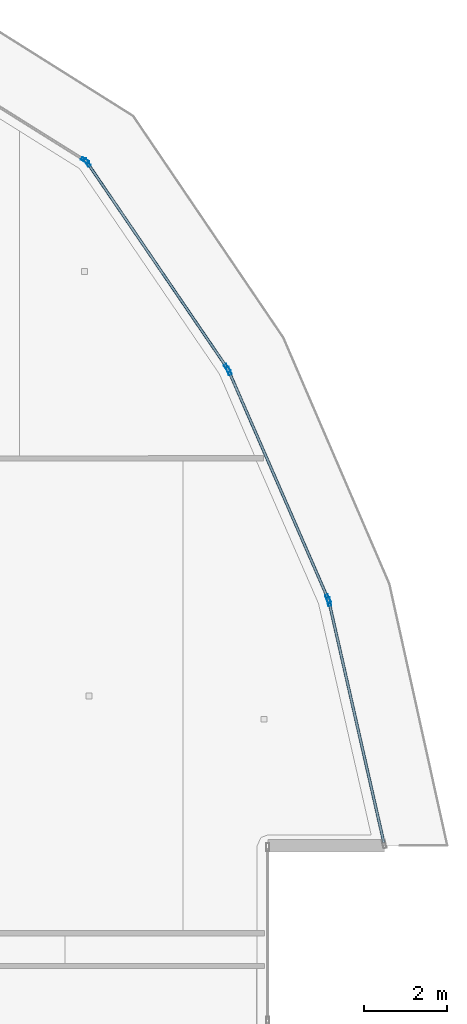
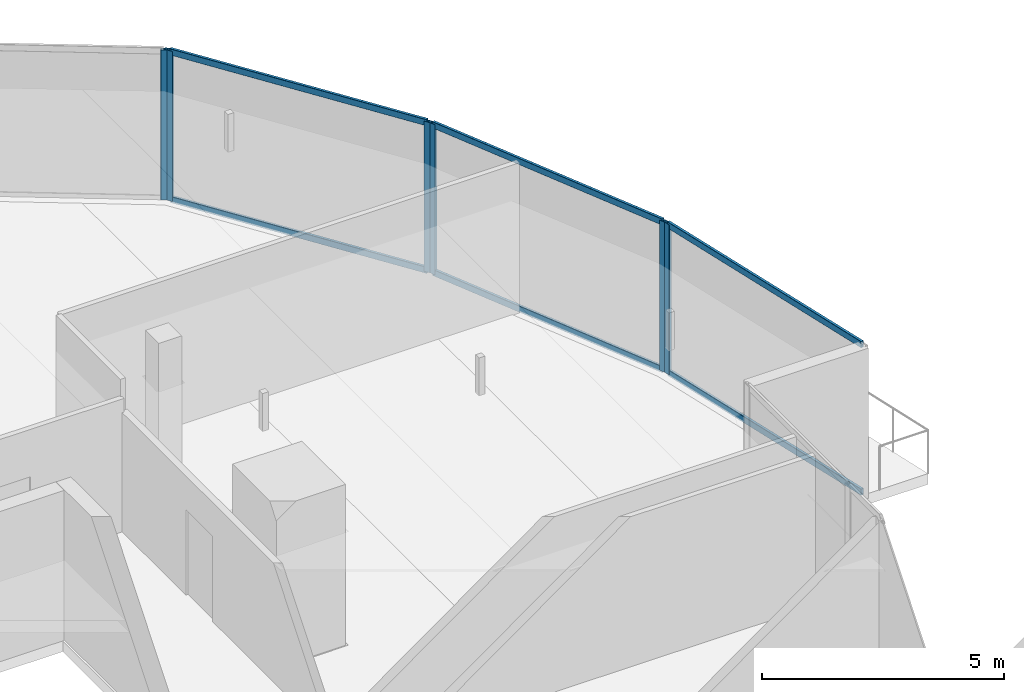
# One storey, part 22 of 36: 12 members, 4 elements without a shape of their own.
"""IFC4 building model written with IfcOpenShell, lengths in metres."""

from ifc_helpers import new_model, si_unit, direction, frame, origin, origin_2d, place, context, subcontext, project, spatial, hollow_rectangle, extrude, material, layer, layer_set, material_profile, profile_set, type_object, element, aggregate, save


model = new_model("IFC4")

# Units and contexts
model_context = context("Model", 3, precision=1e-05, world=origin(), true_north=direction((0.0, 1.0)))
body_context = subcontext(model_context, "Body", "Model", "MODEL_VIEW")
ifc_project = project(units=[si_unit("LENGTHUNIT", "METRE"), si_unit("AREAUNIT", "SQUARE_METRE"), si_unit("VOLUMEUNIT", "CUBIC_METRE"), si_unit("PLANEANGLEUNIT", "RADIAN"), si_unit("MASSUNIT", "GRAM", prefix="KILO")], contexts=[model_context])

# Site, building, storey
site_placement = place(None, origin())
site = spatial("IfcSite", under=ifc_project, at=site_placement, CompositionType="ELEMENT")
building_placement = place(site_placement, origin())
building = spatial("IfcBuilding", under=site, at=building_placement, Name="Qorvath Tower", CompositionType="ELEMENT")
storey_placement = place(building_placement, frame((0.0, 0.0, 229.35009765625)))
storey = spatial("IfcBuildingStorey", under=building, at=storey_placement, Name="L53", CompositionType="ELEMENT", Elevation=229.35009765625)

# Curtain wall, member
ifc_material_1 = material(Name="Anodised aluminium and triple low-E glass", Category="aluminium")
ifc_layer = layer(ifc_material_1, 0.179931640625)
ifc_layer_set = layer_set([ifc_layer], Name="CW-SYS-5")
curtain_wall_type = type_object("IfcCurtainWallType", Name="CW-SYS-5", PredefinedType="NOTDEFINED", material=ifc_layer_set)
curtain_wall_1_placement = place(storey_placement, origin())
curtain_wall_1 = element("IfcCurtainWall", 1, at=curtain_wall_1_placement, inside=storey, type_object=curtain_wall_type, Name="Curtain Wall CW-5 CW-T-L53-13.1", PredefinedType="NOTDEFINED")
ifc_material_2 = material(Name="Anodised aluminium 6063-T6", Category="aluminium")
ifc_material_profile_1 = material_profile(ifc_material_2, hollow_rectangle(XDim=0.074951171875, YDim=0.199951171875, WallThickness=0.00390625, InnerFilletRadius=0.00390625, OuterFilletRadius=0.008056640625, at=origin_2d()), Name="CWM 200x75")
ifc_profile_set_1 = profile_set([ifc_material_profile_1], Name="Anodised aluminium 6063-T6")
member_type_1 = type_object("IfcMemberType", Name="CWM-200", PredefinedType="MULLION", material=ifc_profile_set_1)
member_1_placement = place(storey_placement, frame((-0.6181640625, 10.04150390625, 0.0), z_axis=(0.0, 0.0, 1.0), x_axis=(-0.97505349533, -0.221970000777, 0.0)))
member_1 = element("IfcMember", 2, at=member_1_placement, type_object=member_type_1, Name="CW-5 mullion 2", PredefinedType="MULLION", context=body_context, shape_type="SweptSolid", body=[
    extrude(hollow_rectangle(XDim=0.074951171875, YDim=0.199951171875, WallThickness=0.00390625, InnerFilletRadius=0.00390625, OuterFilletRadius=0.008056640625, at=origin_2d()), origin(), (0.0, 0.0, 1.0), 3.77978515625),
])

# Curtain wall, members
curtain_wall_2_placement = place(storey_placement, origin())
curtain_wall_2 = element("IfcCurtainWall", 3, at=curtain_wall_2_placement, inside=storey, type_object=curtain_wall_type, Name="Curtain Wall CW-5 CW-T-L53-14.1", PredefinedType="NOTDEFINED")
member_2_placement = place(storey_placement, frame((-0.641357421875, 10.112548828125, 0.0), z_axis=(0.0, 0.0, 1.0), x_axis=(-0.916784683156, -0.399381828243, 0.0)))
member_2 = element("IfcMember", 4, at=member_2_placement, type_object=member_type_1, Name="CW-5 mullion 1", PredefinedType="MULLION", context=body_context, shape_type="SweptSolid", body=[
    extrude(hollow_rectangle(XDim=0.074951171875, YDim=0.199951171875, WallThickness=0.00390625, InnerFilletRadius=0.00390625, OuterFilletRadius=0.008056640625, at=origin_2d()), origin(), (0.0, 0.0, 1.0), 3.77978515625),
])
member_3_placement = place(storey_placement, frame((-3.02099609375, 15.574462890625, 0.0), z_axis=(0.0, 0.0, 1.0), x_axis=(-0.916784683156, -0.399381828243, 0.0)))
member_3 = element("IfcMember", 5, at=member_3_placement, type_object=member_type_1, Name="CW-5 mullion 2", PredefinedType="MULLION", context=body_context, shape_type="SweptSolid", body=[
    extrude(hollow_rectangle(XDim=0.074951171875, YDim=0.199951171875, WallThickness=0.00390625, InnerFilletRadius=0.00390625, OuterFilletRadius=0.008056640625, at=origin_2d()), origin(), (0.0, 0.0, 1.0), 3.77978515625),
])

curtain_wall_3_placement = place(storey_placement, origin())
curtain_wall_3 = element("IfcCurtainWall", 6, at=curtain_wall_3_placement, inside=storey, type_object=curtain_wall_type, Name="Curtain Wall CW-5 CW-T-L53-15.1", PredefinedType="NOTDEFINED")
member_4_placement = place(storey_placement, frame((-3.05712890625, 15.639892578125, 0.0), z_axis=(0.0, 0.0, 1.0), x_axis=(-0.826490619847, -0.56295049099, 0.0)))
member_4 = element("IfcMember", 7, at=member_4_placement, type_object=member_type_1, Name="CW-5 mullion 1", PredefinedType="MULLION", context=body_context, shape_type="SweptSolid", body=[
    extrude(hollow_rectangle(XDim=0.074951171875, YDim=0.199951171875, WallThickness=0.00390625, InnerFilletRadius=0.00390625, OuterFilletRadius=0.008056640625, at=origin_2d()), origin(), (0.0, 0.0, 1.0), 3.77978515625),
])
member_5_placement = place(storey_placement, frame((-6.410888671875, 20.56396484375, 0.0), z_axis=(0.0, 0.0, 1.0), x_axis=(-0.826490619847, -0.56295049099, 0.0)))
member_5 = element("IfcMember", 8, at=member_5_placement, type_object=member_type_1, Name="CW-5 mullion 2", PredefinedType="MULLION", context=body_context, shape_type="SweptSolid", body=[
    extrude(hollow_rectangle(XDim=0.074951171875, YDim=0.199951171875, WallThickness=0.00390625, InnerFilletRadius=0.00390625, OuterFilletRadius=0.008056640625, at=origin_2d()), origin(), (0.0, 0.0, 1.0), 3.77978515625),
])

# Curtain wall, member
curtain_wall_4_placement = place(storey_placement, origin())
curtain_wall_4 = element("IfcCurtainWall", 9, at=curtain_wall_4_placement, inside=storey, type_object=curtain_wall_type, Name="Curtain Wall CW-5 CW-T-L53-16.1", PredefinedType="NOTDEFINED")
member_6_placement = place(storey_placement, frame((-6.4638671875, 20.614990234375, 0.0), z_axis=(0.0, 0.0, 1.0), x_axis=(-0.530545314822, -0.84765657487, 0.0)))
member_6 = element("IfcMember", 10, at=member_6_placement, type_object=member_type_1, Name="CW-5 mullion 1", PredefinedType="MULLION", context=body_context, shape_type="SweptSolid", body=[
    extrude(hollow_rectangle(XDim=0.074951171875, YDim=0.199951171875, WallThickness=0.00390625, InnerFilletRadius=0.00390625, OuterFilletRadius=0.008056640625, at=origin_2d()), origin(), (0.0, 0.0, 1.0), 3.77978515625),
])
aggregate(curtain_wall_4, [member_6])

# Member
ifc_material_3 = material(Name="Anodised aluminium 6063-T6", Category="aluminium")
ifc_material_profile_2 = material_profile(ifc_material_3, hollow_rectangle(XDim=0.06494140625, YDim=0.159912109375, WallThickness=0.00341796875, InnerFilletRadius=0.00341796875, OuterFilletRadius=0.007080078125, at=origin_2d()), Name="CWT 160x65")
ifc_profile_set_2 = profile_set([ifc_material_profile_2], Name="Anodised aluminium 6063-T6")
member_type_2 = type_object("IfcMemberType", Name="CWT-160", PredefinedType="USERDEFINED", material=ifc_profile_set_2)
member_7_placement = place(storey_placement, frame((0.696044921875, 4.26904296875, 0.032470703125), z_axis=(-0.221994197684, 0.975047986611, 0.0), x_axis=(-0.975047986611, -0.221994197684, 0.0)))
member_7 = element("IfcMember", 11, at=member_7_placement, type_object=member_type_2, Name="CW-5 transom 1.1", ObjectType="TRANSOM", PredefinedType="USERDEFINED", context=body_context, shape_type="SweptSolid", body=[
    extrude(hollow_rectangle(XDim=0.06494140625, YDim=0.159912109375, WallThickness=0.00341796875, InnerFilletRadius=0.00341796875, OuterFilletRadius=0.007080078125, at=origin_2d()), origin(), (0.0, 0.0, 1.0), 5.882568359375),
])

member_8_placement = place(storey_placement, frame((0.696044921875, 4.26904296875, 3.747314453125), z_axis=(-0.221994197684, 0.975047986611, 0.0), x_axis=(-0.975047986611, -0.221994197684, 0.0)))
member_8 = element("IfcMember", 12, at=member_8_placement, type_object=member_type_2, Name="CW-5 transom 1.2", ObjectType="TRANSOM", PredefinedType="USERDEFINED", context=body_context, shape_type="SweptSolid", body=[
    extrude(hollow_rectangle(XDim=0.06494140625, YDim=0.159912109375, WallThickness=0.00341796875, InnerFilletRadius=0.00341796875, OuterFilletRadius=0.007080078125, at=origin_2d()), origin(), (0.0, 0.0, 1.0), 5.882568359375),
])

aggregate(curtain_wall_1, [member_1, member_7, member_8])

member_9_placement = place(storey_placement, frame((-0.656494140625, 10.14697265625, 0.032470703125), z_axis=(-0.399377050085, 0.916786764665, 0.0), x_axis=(-0.916786764665, -0.399377050085, 0.0)))
member_9 = element("IfcMember", 13, at=member_9_placement, type_object=member_type_2, Name="CW-5 transom 1.1", ObjectType="TRANSOM", PredefinedType="USERDEFINED", context=body_context, shape_type="SweptSolid", body=[
    extrude(hollow_rectangle(XDim=0.06494140625, YDim=0.159912109375, WallThickness=0.00341796875, InnerFilletRadius=0.00341796875, OuterFilletRadius=0.007080078125, at=origin_2d()), origin(), (0.0, 0.0, 1.0), 5.882568359375),
])

member_10_placement = place(storey_placement, frame((-0.656494140625, 10.14697265625, 3.747314453125), z_axis=(-0.399377050085, 0.916786764665, 0.0), x_axis=(-0.916786764665, -0.399377050085, 0.0)))
member_10 = element("IfcMember", 14, at=member_10_placement, type_object=member_type_2, Name="CW-5 transom 1.2", ObjectType="TRANSOM", PredefinedType="USERDEFINED", context=body_context, shape_type="SweptSolid", body=[
    extrude(hollow_rectangle(XDim=0.06494140625, YDim=0.159912109375, WallThickness=0.00341796875, InnerFilletRadius=0.00341796875, OuterFilletRadius=0.007080078125, at=origin_2d()), origin(), (0.0, 0.0, 1.0), 5.882568359375),
])

aggregate(curtain_wall_2, [member_2, member_3, member_9, member_10])

member_11_placement = place(storey_placement, frame((-3.078125, 15.6708984375, 0.032470703125), z_axis=(-0.562956878655, 0.826486268958, 0.0), x_axis=(-0.826486268958, -0.562956878655, 0.0)))
member_11 = element("IfcMember", 15, at=member_11_placement, type_object=member_type_2, Name="CW-5 transom 1.1", ObjectType="TRANSOM", PredefinedType="USERDEFINED", context=body_context, shape_type="SweptSolid", body=[
    extrude(hollow_rectangle(XDim=0.06494140625, YDim=0.159912109375, WallThickness=0.00341796875, InnerFilletRadius=0.00341796875, OuterFilletRadius=0.007080078125, at=origin_2d()), origin(), (0.0, 0.0, 1.0), 5.8828125),
])

member_12_placement = place(storey_placement, frame((-3.078125, 15.6708984375, 3.747314453125), z_axis=(-0.562956878655, 0.826486268958, 0.0), x_axis=(-0.826486268958, -0.562956878655, 0.0)))
member_12 = element("IfcMember", 16, at=member_12_placement, type_object=member_type_2, Name="CW-5 transom 1.2", ObjectType="TRANSOM", PredefinedType="USERDEFINED", context=body_context, shape_type="SweptSolid", body=[
    extrude(hollow_rectangle(XDim=0.06494140625, YDim=0.159912109375, WallThickness=0.00341796875, InnerFilletRadius=0.00341796875, OuterFilletRadius=0.007080078125, at=origin_2d()), origin(), (0.0, 0.0, 1.0), 5.8828125),
])

aggregate(curtain_wall_3, [member_4, member_5, member_11, member_12])

save(model, "model.ifc")
